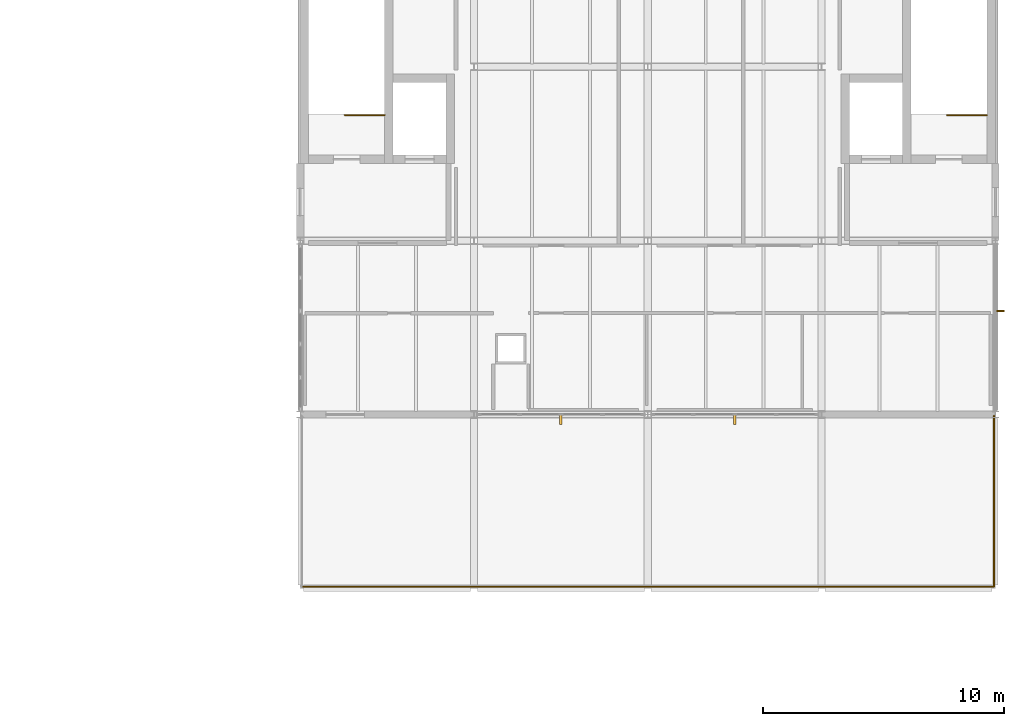
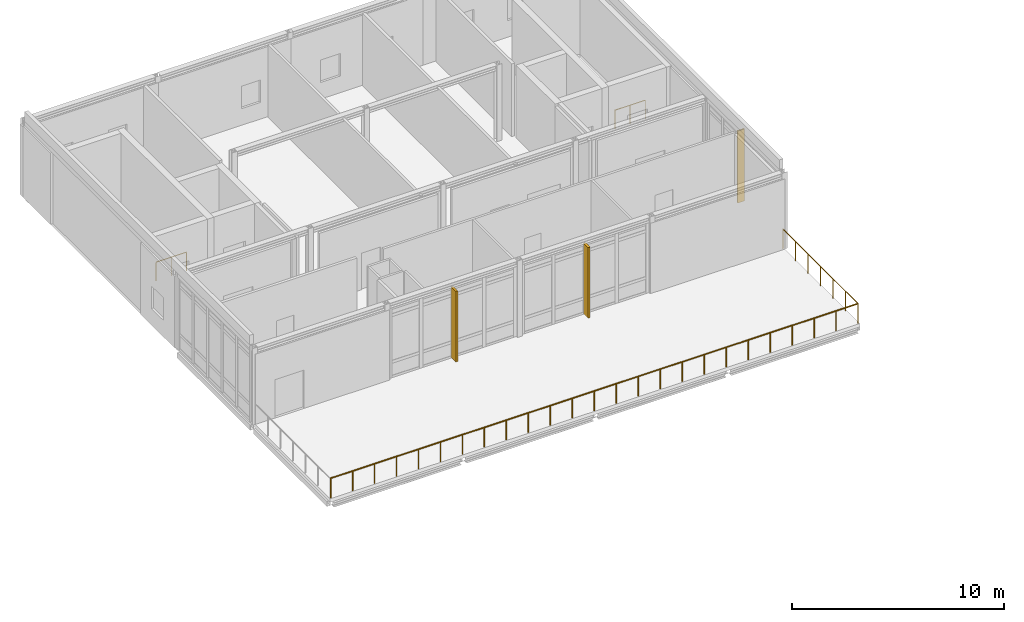
# One storey, part 21 of 21: 4 railings, 3 shading devices.
"""IFC4 building model written with IfcOpenShell, lengths in metres."""

from ifc_helpers import new_model, si_unit, direction, frame, origin, origin_2d, place, context, subcontext, project, spatial, rectangle, circle, extrude, material, layer, layer_set, type_object, element, save


model = new_model("IFC4")

# Units and contexts
model_context = context("Model", 3, precision=1e-05, world=origin(), true_north=direction((0.0, 1.0)))
body_context = subcontext(model_context, "Body", "Model", "MODEL_VIEW")
ifc_project = project(units=[si_unit("LENGTHUNIT", "METRE"), si_unit("AREAUNIT", "SQUARE_METRE"), si_unit("VOLUMEUNIT", "CUBIC_METRE"), si_unit("PLANEANGLEUNIT", "RADIAN"), si_unit("MASSUNIT", "GRAM", prefix="KILO")], contexts=[model_context])

# Site, building, storey
site_placement = place(None, origin())
site = spatial("IfcSite", under=ifc_project, at=site_placement, CompositionType="ELEMENT")
building_placement = place(site_placement, origin())
building = spatial("IfcBuilding", under=site, at=building_placement, Name="Zarrinpeak Specialist Clinic", CompositionType="ELEMENT")
storey_placement = place(building_placement, frame((0.0, 0.0, 22.800048828125)))
storey = spatial("IfcBuildingStorey", under=building, at=storey_placement, Name="L05", CompositionType="ELEMENT", Elevation=22.800048828125)

# Railings
ifc_material_1 = material(Name="Laminated Safety Glass and Stainless Steel 316", Category="steel")
ifc_layer = layer(ifc_material_1, 0.06005859375)
ifc_layer_set = layer_set([ifc_layer], Name="Laminated Safety Glass and Stainless Steel 316")
railing_type = type_object("IfcRailingType", Name="RL-GRD115", PredefinedType="GUARDRAIL", material=ifc_layer_set)
railing_1_placement = place(storey_placement, frame((36.06005859375, 89.260009765625, 0.0)))
element("IfcRailing", 1, at=railing_1_placement, inside=storey, type_object=railing_type, Name="L05 V6 Terrace Perimeter Guardrail GR-019", PredefinedType="GUARDRAIL", context=body_context, shape_type="SweptSolid", body=[
    extrude(circle(Radius=0.02392578125, at=origin_2d()), frame((0.0, 0.0, 1.1259765625), z_axis=(1.0, 0.0, 0.0), x_axis=(0.0, 1.0, 0.0)), (0.0, 0.0, 1.0), 28.679931640625),
    extrude(circle(Radius=0.02099609375, at=origin_2d()), origin(), (0.0, 0.0, 1.0), 1.101806640625),
    extrude(circle(Radius=0.02099609375, at=origin_2d()), frame((1.195068359375, 0.0, 0.0)), (0.0, 0.0, 1.0), 1.101806640625),
    extrude(circle(Radius=0.02099609375, at=origin_2d()), frame((2.389892578125, 0.0, 0.0)), (0.0, 0.0, 1.0), 1.101806640625),
    extrude(circle(Radius=0.02099609375, at=origin_2d()), frame((3.5849609375, 0.0, 0.0)), (0.0, 0.0, 1.0), 1.101806640625),
    extrude(circle(Radius=0.02099609375, at=origin_2d()), frame((4.780029296875, 0.0, 0.0)), (0.0, 0.0, 1.0), 1.101806640625),
    extrude(circle(Radius=0.02099609375, at=origin_2d()), frame((5.97509765625, 0.0, 0.0)), (0.0, 0.0, 1.0), 1.101806640625),
    extrude(circle(Radius=0.02099609375, at=origin_2d()), frame((7.169921875, 0.0, 0.0)), (0.0, 0.0, 1.0), 1.101806640625),
    extrude(circle(Radius=0.02099609375, at=origin_2d()), frame((8.364990234375, 0.0, 0.0)), (0.0, 0.0, 1.0), 1.101806640625),
    extrude(circle(Radius=0.02099609375, at=origin_2d()), frame((9.56005859375, 0.0, 0.0)), (0.0, 0.0, 1.0), 1.101806640625),
    extrude(circle(Radius=0.02099609375, at=origin_2d()), frame((10.7548828125, 0.0, 0.0)), (0.0, 0.0, 1.0), 1.101806640625),
    extrude(circle(Radius=0.02099609375, at=origin_2d()), frame((11.949951171875, 0.0, 0.0)), (0.0, 0.0, 1.0), 1.101806640625),
    extrude(circle(Radius=0.02099609375, at=origin_2d()), frame((13.14501953125, 0.0, 0.0)), (0.0, 0.0, 1.0), 1.101806640625),
    extrude(circle(Radius=0.02099609375, at=origin_2d()), frame((14.33984375, 0.0, 0.0)), (0.0, 0.0, 1.0), 1.101806640625),
    extrude(circle(Radius=0.02099609375, at=origin_2d()), frame((15.534912109375, 0.0, 0.0)), (0.0, 0.0, 1.0), 1.101806640625),
    extrude(circle(Radius=0.02099609375, at=origin_2d()), frame((16.72998046875, 0.0, 0.0)), (0.0, 0.0, 1.0), 1.101806640625),
    extrude(circle(Radius=0.02099609375, at=origin_2d()), frame((17.925048828125, 0.0, 0.0)), (0.0, 0.0, 1.0), 1.101806640625),
    extrude(circle(Radius=0.02099609375, at=origin_2d()), frame((19.119873046875, 0.0, 0.0)), (0.0, 0.0, 1.0), 1.101806640625),
    extrude(circle(Radius=0.02099609375, at=origin_2d()), frame((20.31494140625, 0.0, 0.0)), (0.0, 0.0, 1.0), 1.101806640625),
    extrude(circle(Radius=0.02099609375, at=origin_2d()), frame((21.510009765625, 0.0, 0.0)), (0.0, 0.0, 1.0), 1.101806640625),
    extrude(circle(Radius=0.02099609375, at=origin_2d()), frame((22.704833984375, 0.0, 0.0)), (0.0, 0.0, 1.0), 1.101806640625),
    extrude(circle(Radius=0.02099609375, at=origin_2d()), frame((23.89990234375, 0.0, 0.0)), (0.0, 0.0, 1.0), 1.101806640625),
    extrude(circle(Radius=0.02099609375, at=origin_2d()), frame((25.094970703125, 0.0, 0.0)), (0.0, 0.0, 1.0), 1.101806640625),
    extrude(circle(Radius=0.02099609375, at=origin_2d()), frame((26.2900390625, 0.0, 0.0)), (0.0, 0.0, 1.0), 1.101806640625),
    extrude(circle(Radius=0.02099609375, at=origin_2d()), frame((27.48486328125, 0.0, 0.0)), (0.0, 0.0, 1.0), 1.101806640625),
    extrude(circle(Radius=0.02099609375, at=origin_2d()), frame((28.679931640625, 0.0, 0.0)), (0.0, 0.0, 1.0), 1.101806640625),
])
railing_2_placement = place(storey_placement, frame((64.739990234375, 89.260009765625, 0.0)))
element("IfcRailing", 2, at=railing_2_placement, inside=storey, type_object=railing_type, Name="L05 V6 Terrace Perimeter Guardrail GR-021", PredefinedType="GUARDRAIL", context=body_context, shape_type="SweptSolid", body=[
    extrude(circle(Radius=0.02392578125, at=origin_2d()), frame((0.0, 0.0, 1.1259765625), z_axis=(0.0, 1.0, 0.0), x_axis=(-1.0, 0.0, 0.0)), (0.0, 0.0, 1.0), 7.080078125),
    extrude(circle(Radius=0.02099609375, at=origin_2d()), origin(), (0.0, 0.0, 1.0), 1.101806640625),
    extrude(circle(Radius=0.02099609375, at=origin_2d()), frame((0.0, 1.179931640625, 0.0)), (0.0, 0.0, 1.0), 1.101806640625),
    extrude(circle(Radius=0.02099609375, at=origin_2d()), frame((0.0, 2.360107421875, 0.0)), (0.0, 0.0, 1.0), 1.101806640625),
    extrude(circle(Radius=0.02099609375, at=origin_2d()), frame((0.0, 3.5400390625, 0.0)), (0.0, 0.0, 1.0), 1.101806640625),
    extrude(circle(Radius=0.02099609375, at=origin_2d()), frame((0.0, 4.719970703125, 0.0)), (0.0, 0.0, 1.0), 1.101806640625),
    extrude(circle(Radius=0.02099609375, at=origin_2d()), frame((0.0, 5.900146484375, 0.0)), (0.0, 0.0, 1.0), 1.101806640625),
    extrude(circle(Radius=0.02099609375, at=origin_2d()), frame((0.0, 7.080078125, 0.0)), (0.0, 0.0, 1.0), 1.101806640625),
])
for number, where, name in (
    (3, (39.5, 108.800048828125, 0.0), "L05 ST-11 top well guard 1"),
    (4, (64.449951171875, 108.800048828125, 0.0), "L05 ST-12 top well guard 1"),
):
    element("IfcRailing", number, at=place(storey_placement, frame(where)), inside=storey, type_object=railing_type, Name=name, PredefinedType="GUARDRAIL", context=body_context, shape_type="SweptSolid", body=[
        extrude(circle(Radius=0.02392578125, at=origin_2d()), frame((0.0, 0.0, 1.076171875), z_axis=(-1.0, 0.0, 0.0), x_axis=(0.0, -1.0, 0.0)), (0.0, 0.0, 1.0), 1.64990234375),
        extrude(circle(Radius=0.02099609375, at=origin_2d()), origin(), (0.0, 0.0, 1.0), 1.052001953125),
        extrude(circle(Radius=0.02099609375, at=origin_2d()), frame((-0.824951171875, 0.0, 0.0)), (0.0, 0.0, 1.0), 1.052001953125),
        extrude(circle(Radius=0.02099609375, at=origin_2d()), frame((-1.64990234375, 0.0, 0.0)), (0.0, 0.0, 1.0), 1.052001953125),
    ])

# Shading devices
ifc_material_2 = material(Name="Anodised Bronze Aluminium", Category="aluminium")
shading_device_type_1 = type_object("IfcShadingDeviceType", Name="SHD-FIN-BZ", PredefinedType="JALOUSIE", material=ifc_material_2)
shading_device_placement = place(storey_placement, frame((64.965087890625, 100.68701171875, -0.01513671875), z_axis=(0.0, 0.0, 1.0), x_axis=(1.0, 0.0, 0.0)))
element("IfcShadingDevice", 5, at=shading_device_placement, inside=storey, type_object=shading_device_type_1, Name="L05 V6 Solar Control Fin FIN-103", PredefinedType="JALOUSIE", context=body_context, shape_type="SweptSolid", body=[
    extrude(rectangle(XDim=0.3798828125, YDim=0.074951171875, at=origin_2d()), origin(), (0.0, 0.0, 1.0), 4.139892578125),
])
ifc_material_3 = material(Name="Glulam GL28h", Category="wood")
shading_device_type_2 = type_object("IfcShadingDeviceType", Name="SHD-FIN-GL", PredefinedType="USERDEFINED", material=ifc_material_3)
for number, where, z_axis, x_axis, name in (
    (6, (46.800048828125, 96.199951171875, -0.01513671875), (0.0, 0.0, 1.0), (1.0, 0.0, 0.0), "L05 V6 Cedar-Glulam Courtyard Fin FIN-101"),
    (7, (54.0, 96.199951171875, -0.01513671875), (0.0, 0.0, 1.0), (1.0, 0.0, 0.0), "L05 V6 Cedar-Glulam Courtyard Fin FIN-102"),
):
    element("IfcShadingDevice", number, at=place(storey_placement, frame(where, z_axis=z_axis, x_axis=x_axis)), inside=storey, type_object=shading_device_type_2, Name=name, ObjectType="SUNSHADE", PredefinedType="USERDEFINED", context=body_context, shape_type="SweptSolid", body=[
        extrude(rectangle(XDim=0.110107421875, YDim=0.449951171875, at=origin_2d()), origin(), (0.0, 0.0, 1.0), 4.06494140625),
    ])

save(model, "model.ifc")
